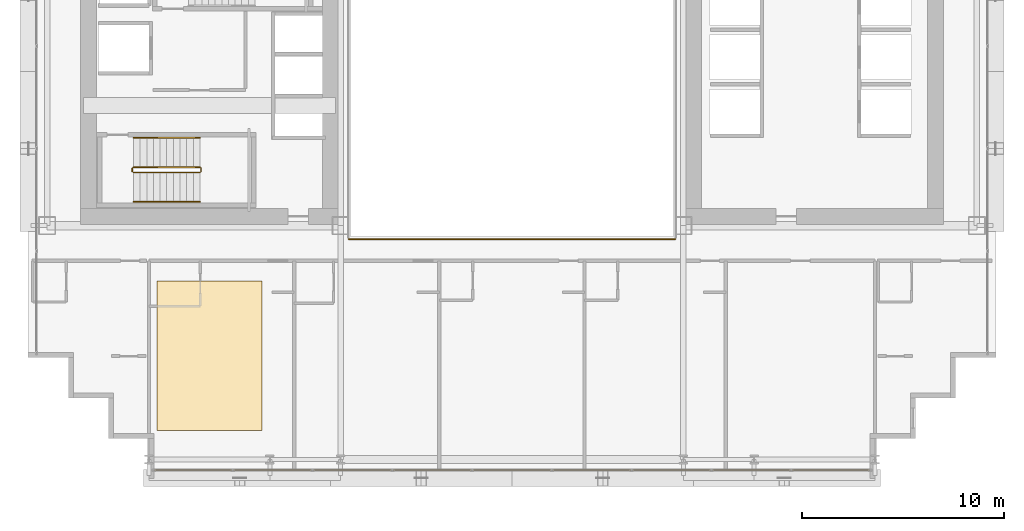
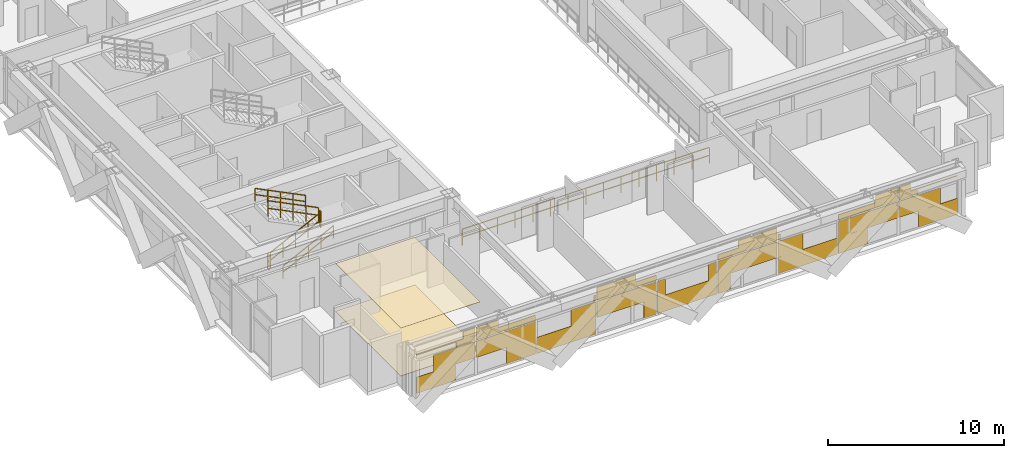
# One storey, part 32 of 35: 7 railings, 3 coverings.
"""IFC4 building model written with IfcOpenShell, lengths in metres."""

from ifc_helpers import new_model, si_unit, direction, frame, origin, origin_2d, place, context, subcontext, project, spatial, polyline, rectangle, outline, extrude, material, layer, layer_set, type_object, element, save


model = new_model("IFC4")

# Units and contexts
model_context = context("Model", 3, precision=1e-05, world=origin(), true_north=direction((0.0, 1.0)))
body_context = subcontext(model_context, "Body", "Model", "MODEL_VIEW")
ifc_project = project(units=[si_unit("LENGTHUNIT", "METRE"), si_unit("AREAUNIT", "SQUARE_METRE"), si_unit("VOLUMEUNIT", "CUBIC_METRE"), si_unit("PLANEANGLEUNIT", "RADIAN"), si_unit("MASSUNIT", "GRAM", prefix="KILO")], contexts=[model_context])

# Site, building, storey
site_placement = place(None, origin())
site = spatial("IfcSite", under=ifc_project, at=site_placement, CompositionType="ELEMENT")
building_placement = place(site_placement, origin())
building = spatial("IfcBuilding", under=site, at=building_placement, Name="Ocotamira Hotel", CompositionType="ELEMENT")
storey_placement = place(building_placement, frame((0.0, 0.0, 78.0)))
storey = spatial("IfcBuildingStorey", under=building, at=storey_placement, Name="L19", CompositionType="ELEMENT", Elevation=78.0)

# Coverings
ifc_material_1 = material(Name="Perforated acoustic gypsum ceiling board", Category="gypsum")
ifc_layer_1 = layer(ifc_material_1, 0.02490234375)
ifc_layer_set_1 = layer_set([ifc_layer_1], Name="Perforated acoustic gypsum ceiling board")
covering_type_1 = type_object("IfcCoveringType", Name="COV-CEIL-25", PredefinedType="CEILING", material=ifc_layer_set_1)
covering_1_placement = place(storey_placement, frame((0.0, 0.0, 3.324951171875)))
element("IfcCovering", 1, at=covering_1_placement, inside=storey, type_object=covering_type_1, Name="L19 Acoustic Ceiling", PredefinedType="CEILING", context=body_context, shape_type="SweptSolid", body=[
    extrude(outline(polyline([(14.39990234375, 4.39990234375), (19.60009765625, 4.39990234375), (19.60009765625, 11.800048828125), (14.39990234375, 11.800048828125), (14.39990234375, 4.39990234375)])), origin(), (0.0, 0.0, 1.0), 0.025146484375),
])
ifc_material_2 = material(Name="Honed desert travertine stone flooring", Category="masonry")
ifc_layer_2 = layer(ifc_material_2, 0.030029296875)
ifc_layer_set_2 = layer_set([ifc_layer_2], Name="Honed desert travertine stone flooring")
covering_type_2 = type_object("IfcCoveringType", Name="COV-FLOR-30", PredefinedType="FLOORING", material=ifc_layer_set_2)
covering_2_placement = place(storey_placement, origin())
element("IfcCovering", 2, at=covering_2_placement, inside=storey, type_object=covering_type_2, Name="L19 Honed Stone Floor Finish", PredefinedType="FLOORING", context=body_context, shape_type="SweptSolid", body=[
    extrude(outline(polyline([(14.39990234375, 4.39990234375), (19.60009765625, 4.39990234375), (19.60009765625, 11.800048828125), (14.39990234375, 11.800048828125), (14.39990234375, 4.39990234375)])), origin(), (0.0, 0.0, 1.0), 0.030029296875),
])
ifc_material_3 = material(Name="Insulated pale-metal aluminium spandrel panel", Category="aluminium")
ifc_layer_3 = layer(ifc_material_3, 0.044921875)
ifc_layer_set_3 = layer_set([ifc_layer_3], Name="Insulated pale-metal aluminium spandrel panel")
covering_type_3 = type_object("IfcCoveringType", Name="COV-INFILL-45", PredefinedType="CLADDING", material=ifc_layer_set_3)
covering_3_placement = place(storey_placement, origin())
element("IfcCovering", 3, at=covering_3_placement, inside=storey, type_object=covering_type_3, Name="L19 Curtain Wall Infill CW-2 CW-L19-S1", PredefinedType="CLADDING", context=body_context, shape_type="SweptSolid", body=[
    extrude(rectangle(XDim=2.556396484375, YDim=0.044921875, at=origin_2d()), frame((15.558837890625, 2.419921875, 0.07568359375), z_axis=(0.0, 0.0, 1.0), x_axis=(1.0, 0.0, 0.0)), (0.0, 0.0, 1.0), 1.11767578125),
    extrude(rectangle(XDim=2.7177734375, YDim=0.044921875, at=origin_2d()), frame((16.756103515625, 2.419921875, 1.1943359375), z_axis=(0.0, 0.0, 1.0), x_axis=(1.0, 0.0, 0.0)), (0.0, 0.0, 1.0), 1.117919921875),
    extrude(rectangle(XDim=3.834716796875, YDim=0.044921875, at=origin_2d()), frame((16.19775390625, 2.419921875, 2.73095703125), z_axis=(0.0, 0.0, 1.0), x_axis=(1.0, 0.0, 0.0)), (0.0, 0.0, 1.0), 0.03271484375),
    extrude(rectangle(XDim=1.2255859375, YDim=0.044921875, at=origin_2d()), frame((17.502197265625, 2.419921875, 2.38818359375), z_axis=(0.0, 0.0, 1.0), x_axis=(1.0, 0.0, 0.0)), (0.0, 0.0, 1.0), 0.342041015625),
    extrude(rectangle(XDim=0.754638671875, YDim=0.044921875, at=origin_2d()), frame((17.73779296875, 2.419921875, 2.7646484375), z_axis=(0.0, 0.0, 1.0), x_axis=(1.0, 0.0, 0.0)), (0.0, 0.0, 1.0), 0.509765625),
    extrude(rectangle(XDim=3.87451171875, YDim=0.044921875, at=origin_2d()), frame((20.13330078125, 2.419921875, 1.1943359375), z_axis=(0.0, 0.0, 1.0), x_axis=(1.0, 0.0, 0.0)), (0.0, 0.0, 1.0), 1.117919921875),
    extrude(rectangle(XDim=1.90771484375, YDim=0.044921875, at=origin_2d()), frame((21.11669921875, 2.419921875, 0.07568359375), z_axis=(0.0, 0.0, 1.0), x_axis=(1.0, 0.0, 0.0)), (0.0, 0.0, 1.0), 1.11767578125),
    extrude(rectangle(XDim=3.87451171875, YDim=0.044921875, at=origin_2d()), frame((20.13330078125, 2.419921875, 2.38818359375), z_axis=(0.0, 0.0, 1.0), x_axis=(1.0, 0.0, 0.0)), (0.0, 0.0, 1.0), 0.375732421875),
    extrude(rectangle(XDim=1.443603515625, YDim=0.044921875, at=origin_2d()), frame((18.917724609375, 2.419921875, 2.7646484375), z_axis=(0.0, 0.0, 1.0), x_axis=(1.0, 0.0, 0.0)), (0.0, 0.0, 1.0), 0.509765625),
    extrude(rectangle(XDim=3.87451171875, YDim=0.044921875, at=origin_2d()), frame((24.0888671875, 2.419921875, 0.07568359375), z_axis=(0.0, 0.0, 1.0), x_axis=(1.0, 0.0, 0.0)), (0.0, 0.0, 1.0), 1.11767578125),
    extrude(rectangle(XDim=1.62890625, YDim=0.044921875, at=origin_2d()), frame((25.2119140625, 2.419921875, 1.1943359375), z_axis=(0.0, 0.0, 1.0), x_axis=(1.0, 0.0, 0.0)), (0.0, 0.0, 1.0), 1.117919921875),
    extrude(rectangle(XDim=0.13671875, YDim=0.044921875, at=origin_2d()), frame((25.957763671875, 2.419921875, 2.38818359375), z_axis=(0.0, 0.0, 1.0), x_axis=(1.0, 0.0, 0.0)), (0.0, 0.0, 1.0), 0.375732421875),
    extrude(rectangle(XDim=3.87451171875, YDim=0.044921875, at=origin_2d()), frame((28.04443359375, 2.419921875, 1.1943359375), z_axis=(0.0, 0.0, 1.0), x_axis=(1.0, 0.0, 0.0)), (0.0, 0.0, 1.0), 1.117919921875),
    extrude(rectangle(XDim=0.81884765625, YDim=0.044921875, at=origin_2d()), frame((29.572265625, 2.419921875, 0.07568359375), z_axis=(0.0, 0.0, 1.0), x_axis=(1.0, 0.0, 0.0)), (0.0, 0.0, 1.0), 1.11767578125),
    extrude(rectangle(XDim=3.87451171875, YDim=0.044921875, at=origin_2d()), frame((28.04443359375, 2.419921875, 2.38818359375), z_axis=(0.0, 0.0, 1.0), x_axis=(1.0, 0.0, 0.0)), (0.0, 0.0, 1.0), 0.375732421875),
    extrude(rectangle(XDim=2.532470703125, YDim=0.044921875, at=origin_2d()), frame((27.373291015625, 2.419921875, 2.7646484375), z_axis=(0.0, 0.0, 1.0), x_axis=(1.0, 0.0, 0.0)), (0.0, 0.0, 1.0), 0.509765625),
    extrude(rectangle(XDim=3.87451171875, YDim=0.044921875, at=origin_2d()), frame((32.0, 2.419921875, 0.07568359375), z_axis=(0.0, 0.0, 1.0), x_axis=(1.0, 0.0, 0.0)), (0.0, 0.0, 1.0), 1.11767578125),
    extrude(rectangle(XDim=0.539794921875, YDim=0.044921875, at=origin_2d()), frame((30.332763671875, 2.419921875, 1.1943359375), z_axis=(0.0, 0.0, 1.0), x_axis=(1.0, 0.0, 0.0)), (0.0, 0.0, 1.0), 1.117919921875),
    extrude(rectangle(XDim=0.539794921875, YDim=0.044921875, at=origin_2d()), frame((33.667236328125, 2.419921875, 1.1943359375), z_axis=(0.0, 0.0, 1.0), x_axis=(1.0, 0.0, 0.0)), (0.0, 0.0, 1.0), 1.117919921875),
    extrude(rectangle(XDim=0.81884765625, YDim=0.044921875, at=origin_2d()), frame((34.427734375, 2.419921875, 0.07568359375), z_axis=(0.0, 0.0, 1.0), x_axis=(1.0, 0.0, 0.0)), (0.0, 0.0, 1.0), 1.11767578125),
    extrude(rectangle(XDim=3.87451171875, YDim=0.044921875, at=origin_2d()), frame((35.95556640625, 2.419921875, 1.1943359375), z_axis=(0.0, 0.0, 1.0), x_axis=(1.0, 0.0, 0.0)), (0.0, 0.0, 1.0), 1.117919921875),
    extrude(rectangle(XDim=3.87451171875, YDim=0.044921875, at=origin_2d()), frame((35.95556640625, 2.419921875, 2.38818359375), z_axis=(0.0, 0.0, 1.0), x_axis=(1.0, 0.0, 0.0)), (0.0, 0.0, 1.0), 0.375732421875),
    extrude(rectangle(XDim=2.532470703125, YDim=0.044921875, at=origin_2d()), frame((36.626708984375, 2.419921875, 2.7646484375), z_axis=(0.0, 0.0, 1.0), x_axis=(1.0, 0.0, 0.0)), (0.0, 0.0, 1.0), 0.509765625),
    extrude(rectangle(XDim=3.87451171875, YDim=0.044921875, at=origin_2d()), frame((39.9111328125, 2.419921875, 0.07568359375), z_axis=(0.0, 0.0, 1.0), x_axis=(1.0, 0.0, 0.0)), (0.0, 0.0, 1.0), 1.11767578125),
    extrude(rectangle(XDim=1.62890625, YDim=0.044921875, at=origin_2d()), frame((38.7880859375, 2.419921875, 1.1943359375), z_axis=(0.0, 0.0, 1.0), x_axis=(1.0, 0.0, 0.0)), (0.0, 0.0, 1.0), 1.117919921875),
    extrude(rectangle(XDim=0.13671875, YDim=0.044921875, at=origin_2d()), frame((38.042236328125, 2.419921875, 2.38818359375), z_axis=(0.0, 0.0, 1.0), x_axis=(1.0, 0.0, 0.0)), (0.0, 0.0, 1.0), 0.375732421875),
    extrude(rectangle(XDim=1.90771484375, YDim=0.044921875, at=origin_2d()), frame((42.88330078125, 2.419921875, 0.07568359375), z_axis=(0.0, 0.0, 1.0), x_axis=(1.0, 0.0, 0.0)), (0.0, 0.0, 1.0), 1.11767578125),
    extrude(rectangle(XDim=3.87451171875, YDim=0.044921875, at=origin_2d()), frame((43.86669921875, 2.419921875, 1.1943359375), z_axis=(0.0, 0.0, 1.0), x_axis=(1.0, 0.0, 0.0)), (0.0, 0.0, 1.0), 1.117919921875),
    extrude(rectangle(XDim=3.87451171875, YDim=0.044921875, at=origin_2d()), frame((43.86669921875, 2.419921875, 2.38818359375), z_axis=(0.0, 0.0, 1.0), x_axis=(1.0, 0.0, 0.0)), (0.0, 0.0, 1.0), 0.375732421875),
    extrude(rectangle(XDim=1.443603515625, YDim=0.044921875, at=origin_2d()), frame((45.082275390625, 2.419921875, 2.7646484375), z_axis=(0.0, 0.0, 1.0), x_axis=(1.0, 0.0, 0.0)), (0.0, 0.0, 1.0), 0.509765625),
    extrude(rectangle(XDim=2.7177734375, YDim=0.044921875, at=origin_2d()), frame((47.243896484375, 2.419921875, 1.1943359375), z_axis=(0.0, 0.0, 1.0), x_axis=(1.0, 0.0, 0.0)), (0.0, 0.0, 1.0), 1.117919921875),
    extrude(rectangle(XDim=2.556396484375, YDim=0.044921875, at=origin_2d()), frame((48.441162109375, 2.419921875, 0.07568359375), z_axis=(0.0, 0.0, 1.0), x_axis=(1.0, 0.0, 0.0)), (0.0, 0.0, 1.0), 1.11767578125),
    extrude(rectangle(XDim=1.2255859375, YDim=0.044921875, at=origin_2d()), frame((46.497802734375, 2.419921875, 2.38818359375), z_axis=(0.0, 0.0, 1.0), x_axis=(1.0, 0.0, 0.0)), (0.0, 0.0, 1.0), 0.342041015625),
    extrude(rectangle(XDim=3.834716796875, YDim=0.044921875, at=origin_2d()), frame((47.80224609375, 2.419921875, 2.73095703125), z_axis=(0.0, 0.0, 1.0), x_axis=(1.0, 0.0, 0.0)), (0.0, 0.0, 1.0), 0.03271484375),
    extrude(rectangle(XDim=0.754638671875, YDim=0.044921875, at=origin_2d()), frame((46.26220703125, 2.419921875, 2.7646484375), z_axis=(0.0, 0.0, 1.0), x_axis=(1.0, 0.0, 0.0)), (0.0, 0.0, 1.0), 0.509765625),
])

# Railings
ifc_material_4 = material(Name="Painted steel stair guardrail", Category="steel")
railing_type_1 = type_object("IfcRailingType", Name="RL-EDGE-1150", PredefinedType="GUARDRAIL", material=ifc_material_4)
railing_1_placement = place(storey_placement, frame((23.89990234375, 13.8798828125, 0.0)))
element("IfcRailing", 4, at=railing_1_placement, inside=storey, type_object=railing_type_1, Name="L19 Central Atrium Edge Guardrail S", PredefinedType="GUARDRAIL", context=body_context, shape_type="SweptSolid", body=[
    extrude(rectangle(XDim=0.048095703125, YDim=0.048095703125, at=origin_2d()), frame((0.0, 0.0, 1.1259765625), z_axis=(1.0, 0.0, 0.0), x_axis=(0.0, 1.0, 0.0)), (0.0, 0.0, 1.0), 16.2001953125),
    extrude(rectangle(XDim=0.048095703125, YDim=0.048095703125, at=origin_2d()), frame((0.0, 0.0, 0.574951171875), z_axis=(1.0, 0.0, 0.0), x_axis=(0.0, 1.0, 0.0)), (0.0, 0.0, 1.0), 16.2001953125),
    extrude(rectangle(XDim=0.0419921875, YDim=0.0419921875, at=origin_2d()), origin(), (0.0, 0.0, 1.0), 1.101806640625),
    extrude(rectangle(XDim=0.0419921875, YDim=0.0419921875, at=origin_2d()), frame((1.1572265625, 0.0, 0.0)), (0.0, 0.0, 1.0), 1.101806640625),
    extrude(rectangle(XDim=0.0419921875, YDim=0.0419921875, at=origin_2d()), frame((2.314208984375, 0.0, 0.0)), (0.0, 0.0, 1.0), 1.101806640625),
    extrude(rectangle(XDim=0.0419921875, YDim=0.0419921875, at=origin_2d()), frame((3.471435546875, 0.0, 0.0)), (0.0, 0.0, 1.0), 1.101806640625),
    extrude(rectangle(XDim=0.0419921875, YDim=0.0419921875, at=origin_2d()), frame((4.628662109375, 0.0, 0.0)), (0.0, 0.0, 1.0), 1.101806640625),
    extrude(rectangle(XDim=0.0419921875, YDim=0.0419921875, at=origin_2d()), frame((5.785888671875, 0.0, 0.0)), (0.0, 0.0, 1.0), 1.101806640625),
    extrude(rectangle(XDim=0.0419921875, YDim=0.0419921875, at=origin_2d()), frame((6.94287109375, 0.0, 0.0)), (0.0, 0.0, 1.0), 1.101806640625),
    extrude(rectangle(XDim=0.0419921875, YDim=0.0419921875, at=origin_2d()), frame((8.10009765625, 0.0, 0.0)), (0.0, 0.0, 1.0), 1.101806640625),
    extrude(rectangle(XDim=0.0419921875, YDim=0.0419921875, at=origin_2d()), frame((9.25732421875, 0.0, 0.0)), (0.0, 0.0, 1.0), 1.101806640625),
    extrude(rectangle(XDim=0.0419921875, YDim=0.0419921875, at=origin_2d()), frame((10.414306640625, 0.0, 0.0)), (0.0, 0.0, 1.0), 1.101806640625),
    extrude(rectangle(XDim=0.0419921875, YDim=0.0419921875, at=origin_2d()), frame((11.571533203125, 0.0, 0.0)), (0.0, 0.0, 1.0), 1.101806640625),
    extrude(rectangle(XDim=0.0419921875, YDim=0.0419921875, at=origin_2d()), frame((12.728759765625, 0.0, 0.0)), (0.0, 0.0, 1.0), 1.101806640625),
    extrude(rectangle(XDim=0.0419921875, YDim=0.0419921875, at=origin_2d()), frame((13.885986328125, 0.0, 0.0)), (0.0, 0.0, 1.0), 1.101806640625),
    extrude(rectangle(XDim=0.0419921875, YDim=0.0419921875, at=origin_2d()), frame((15.04296875, 0.0, 0.0)), (0.0, 0.0, 1.0), 1.101806640625),
    extrude(rectangle(XDim=0.0419921875, YDim=0.0419921875, at=origin_2d()), frame((16.2001953125, 0.0, 0.0)), (0.0, 0.0, 1.0), 1.101806640625),
])
ifc_material_5 = material(Name="Brushed stainless steel handrail", Category="steel")
railing_type_2 = type_object("IfcRailingType", Name="RL-HAND-900", PredefinedType="HANDRAIL", material=ifc_material_5)
railing_2_placement = place(storey_placement, frame((13.22998046875, 15.719970703125, 0.327392578125)))
element("IfcRailing", 5, at=railing_2_placement, inside=storey, type_object=railing_type_2, Name="L19 ST-1 stair handrail 1", PredefinedType="HANDRAIL", context=body_context, shape_type="SweptSolid", body=[
    extrude(rectangle(XDim=0.048095703125, YDim=0.048095703125, at=origin_2d()), frame((0.0, 0.0, 0.8759765625), z_axis=(0.895920123917, 0.0, 0.444215186098), x_axis=(0.0, 1.0, 0.0)), (0.0, 0.0, 1.0), 3.683349609375),
    extrude(rectangle(XDim=0.048095703125, YDim=0.048095703125, at=origin_2d()), frame((0.0, 0.0, 0.449951171875), z_axis=(0.895920123917, 0.0, 0.444215186098), x_axis=(0.0, 1.0, 0.0)), (0.0, 0.0, 1.0), 3.683349609375),
    extrude(rectangle(XDim=0.0419921875, YDim=0.0419921875, at=origin_2d()), origin(), (0.0, 0.0, 1.0), 0.851806640625),
    extrude(rectangle(XDim=0.0419921875, YDim=0.0419921875, at=origin_2d()), frame((0.824951171875, 0.0, 0.4091796875)), (0.0, 0.0, 1.0), 0.851806640625),
    extrude(rectangle(XDim=0.0419921875, YDim=0.0419921875, at=origin_2d()), frame((1.64990234375, 0.0, 0.818115234375)), (0.0, 0.0, 1.0), 0.851806640625),
    extrude(rectangle(XDim=0.0419921875, YDim=0.0419921875, at=origin_2d()), frame((2.47509765625, 0.0, 1.22705078125)), (0.0, 0.0, 1.0), 0.851806640625),
    extrude(rectangle(XDim=0.0419921875, YDim=0.0419921875, at=origin_2d()), frame((3.300048828125, 0.0, 1.63623046875)), (0.0, 0.0, 1.0), 0.851806640625),
])
railing_3_placement = place(storey_placement, frame((16.530029296875, 18.89990234375, 2.127197265625)))
element("IfcRailing", 6, at=railing_3_placement, inside=storey, type_object=railing_type_2, Name="L19 ST-1 stair handrail 2", PredefinedType="HANDRAIL", context=body_context, shape_type="SweptSolid", body=[
    extrude(rectangle(XDim=0.048095703125, YDim=0.048095703125, at=origin_2d()), frame((0.0, 0.0, 0.8759765625), z_axis=(-0.895893744519, 0.0, 0.4442683857), x_axis=(0.0, -1.0, 0.0)), (0.0, 0.0, 1.0), 3.68359375),
    extrude(rectangle(XDim=0.048095703125, YDim=0.048095703125, at=origin_2d()), frame((0.0, 0.0, 0.449951171875), z_axis=(-0.895893744519, 0.0, 0.4442683857), x_axis=(0.0, -1.0, 0.0)), (0.0, 0.0, 1.0), 3.68359375),
    extrude(rectangle(XDim=0.0419921875, YDim=0.0419921875, at=origin_2d()), origin(), (0.0, 0.0, 1.0), 0.851806640625),
    extrude(rectangle(XDim=0.0419921875, YDim=0.0419921875, at=origin_2d()), frame((-0.824951171875, 0.0, 0.4091796875)), (0.0, 0.0, 1.0), 0.851806640625),
    extrude(rectangle(XDim=0.0419921875, YDim=0.0419921875, at=origin_2d()), frame((-1.64990234375, 0.0, 0.818359375)), (0.0, 0.0, 1.0), 0.851806640625),
    extrude(rectangle(XDim=0.0419921875, YDim=0.0419921875, at=origin_2d()), frame((-2.47509765625, 0.0, 1.227294921875)), (0.0, 0.0, 1.0), 0.851806640625),
    extrude(rectangle(XDim=0.0419921875, YDim=0.0419921875, at=origin_2d()), frame((-3.300048828125, 0.0, 1.636474609375)), (0.0, 0.0, 1.0), 0.851806640625),
])
railing_type_3 = type_object("IfcRailingType", Name="RL-STAIR-1100", PredefinedType="GUARDRAIL", material=ifc_material_4)
railing_4_placement = place(storey_placement, frame((13.22998046875, 17.179931640625, 0.16357421875)))
element("IfcRailing", 7, at=railing_4_placement, inside=storey, type_object=railing_type_3, Name="L19 ST-1 stair guard 1", PredefinedType="GUARDRAIL", context=body_context, shape_type="SweptSolid", body=[
    extrude(rectangle(XDim=0.048095703125, YDim=0.048095703125, at=origin_2d()), frame((0.0, 0.0, 1.076171875), z_axis=(0.895893744519, 0.0, 0.4442683857), x_axis=(0.0, 1.0, 0.0)), (0.0, 0.0, 1.0), 3.68359375),
    extrude(rectangle(XDim=0.048095703125, YDim=0.048095703125, at=origin_2d()), frame((0.0, 0.0, 0.550048828125), z_axis=(0.895893744519, 0.0, 0.4442683857), x_axis=(0.0, 1.0, 0.0)), (0.0, 0.0, 1.0), 3.68359375),
    extrude(rectangle(XDim=0.0419921875, YDim=0.0419921875, at=origin_2d()), origin(), (0.0, 0.0, 1.0), 1.052001953125),
    extrude(rectangle(XDim=0.0419921875, YDim=0.0419921875, at=origin_2d()), frame((0.824951171875, 0.0, 0.4091796875)), (0.0, 0.0, 1.0), 1.052001953125),
    extrude(rectangle(XDim=0.0419921875, YDim=0.0419921875, at=origin_2d()), frame((1.64990234375, 0.0, 0.818359375)), (0.0, 0.0, 1.0), 1.052001953125),
    extrude(rectangle(XDim=0.0419921875, YDim=0.0419921875, at=origin_2d()), frame((2.47509765625, 0.0, 1.227294921875)), (0.0, 0.0, 1.0), 1.052001953125),
    extrude(rectangle(XDim=0.0419921875, YDim=0.0419921875, at=origin_2d()), frame((3.300048828125, 0.0, 1.636474609375)), (0.0, 0.0, 1.0), 1.052001953125),
])
railing_5_placement = place(storey_placement, frame((16.580078125, 17.22998046875, 1.800048828125)))
element("IfcRailing", 8, at=railing_5_placement, inside=storey, type_object=railing_type_3, Name="L19 ST-1 stair guard 2", PredefinedType="GUARDRAIL", context=body_context, shape_type="SweptSolid", body=[
    extrude(rectangle(XDim=0.048095703125, YDim=0.048095703125, at=origin_2d()), frame((0.0, 0.0, 1.076171875), z_axis=(0.0, 1.0, 0.0), x_axis=(-1.0, 0.0, 0.0)), (0.0, 0.0, 1.0), 0.159912109375),
    extrude(rectangle(XDim=0.048095703125, YDim=0.048095703125, at=origin_2d()), frame((0.0, 0.0, 0.550048828125), z_axis=(0.0, 1.0, 0.0), x_axis=(-1.0, 0.0, 0.0)), (0.0, 0.0, 1.0), 0.159912109375),
    extrude(rectangle(XDim=0.0419921875, YDim=0.0419921875, at=origin_2d()), origin(), (0.0, 0.0, 1.0), 1.052001953125),
    extrude(rectangle(XDim=0.0419921875, YDim=0.0419921875, at=origin_2d()), frame((0.0, 0.159912109375, 0.0)), (0.0, 0.0, 1.0), 1.052001953125),
])
railing_6_placement = place(storey_placement, frame((16.530029296875, 17.43994140625, 1.963623046875)))
element("IfcRailing", 9, at=railing_6_placement, inside=storey, type_object=railing_type_3, Name="L19 ST-1 stair guard 3", PredefinedType="GUARDRAIL", context=body_context, shape_type="SweptSolid", body=[
    extrude(rectangle(XDim=0.048095703125, YDim=0.048095703125, at=origin_2d()), frame((0.0, 0.0, 1.076171875), z_axis=(-0.895893744519, 0.0, 0.4442683857), x_axis=(0.0, -1.0, 0.0)), (0.0, 0.0, 1.0), 3.68359375),
    extrude(rectangle(XDim=0.048095703125, YDim=0.048095703125, at=origin_2d()), frame((0.0, 0.0, 0.550048828125), z_axis=(-0.895893744519, 0.0, 0.4442683857), x_axis=(0.0, -1.0, 0.0)), (0.0, 0.0, 1.0), 3.68359375),
    extrude(rectangle(XDim=0.0419921875, YDim=0.0419921875, at=origin_2d()), origin(), (0.0, 0.0, 1.0), 1.052001953125),
    extrude(rectangle(XDim=0.0419921875, YDim=0.0419921875, at=origin_2d()), frame((-0.824951171875, 0.0, 0.4091796875)), (0.0, 0.0, 1.0), 1.052001953125),
    extrude(rectangle(XDim=0.0419921875, YDim=0.0419921875, at=origin_2d()), frame((-1.64990234375, 0.0, 0.818359375)), (0.0, 0.0, 1.0), 1.052001953125),
    extrude(rectangle(XDim=0.0419921875, YDim=0.0419921875, at=origin_2d()), frame((-2.47509765625, 0.0, 1.227294921875)), (0.0, 0.0, 1.0), 1.052001953125),
    extrude(rectangle(XDim=0.0419921875, YDim=0.0419921875, at=origin_2d()), frame((-3.300048828125, 0.0, 1.636474609375)), (0.0, 0.0, 1.0), 1.052001953125),
])
railing_7_placement = place(storey_placement, frame((13.179931640625, 17.22998046875, 0.0)))
element("IfcRailing", 10, at=railing_7_placement, inside=storey, type_object=railing_type_3, Name="L19 ST-1 stair guard 4", PredefinedType="GUARDRAIL", context=body_context, shape_type="SweptSolid", body=[
    extrude(rectangle(XDim=0.048095703125, YDim=0.048095703125, at=origin_2d()), frame((0.0, 0.0, 1.076171875), z_axis=(0.0, 1.0, 0.0), x_axis=(-1.0, 0.0, 0.0)), (0.0, 0.0, 1.0), 0.159912109375),
    extrude(rectangle(XDim=0.048095703125, YDim=0.048095703125, at=origin_2d()), frame((0.0, 0.0, 0.550048828125), z_axis=(0.0, 1.0, 0.0), x_axis=(-1.0, 0.0, 0.0)), (0.0, 0.0, 1.0), 0.159912109375),
    extrude(rectangle(XDim=0.0419921875, YDim=0.0419921875, at=origin_2d()), origin(), (0.0, 0.0, 1.0), 1.052001953125),
    extrude(rectangle(XDim=0.0419921875, YDim=0.0419921875, at=origin_2d()), frame((0.0, 0.159912109375, 0.0)), (0.0, 0.0, 1.0), 1.052001953125),
])

save(model, "model.ifc")
